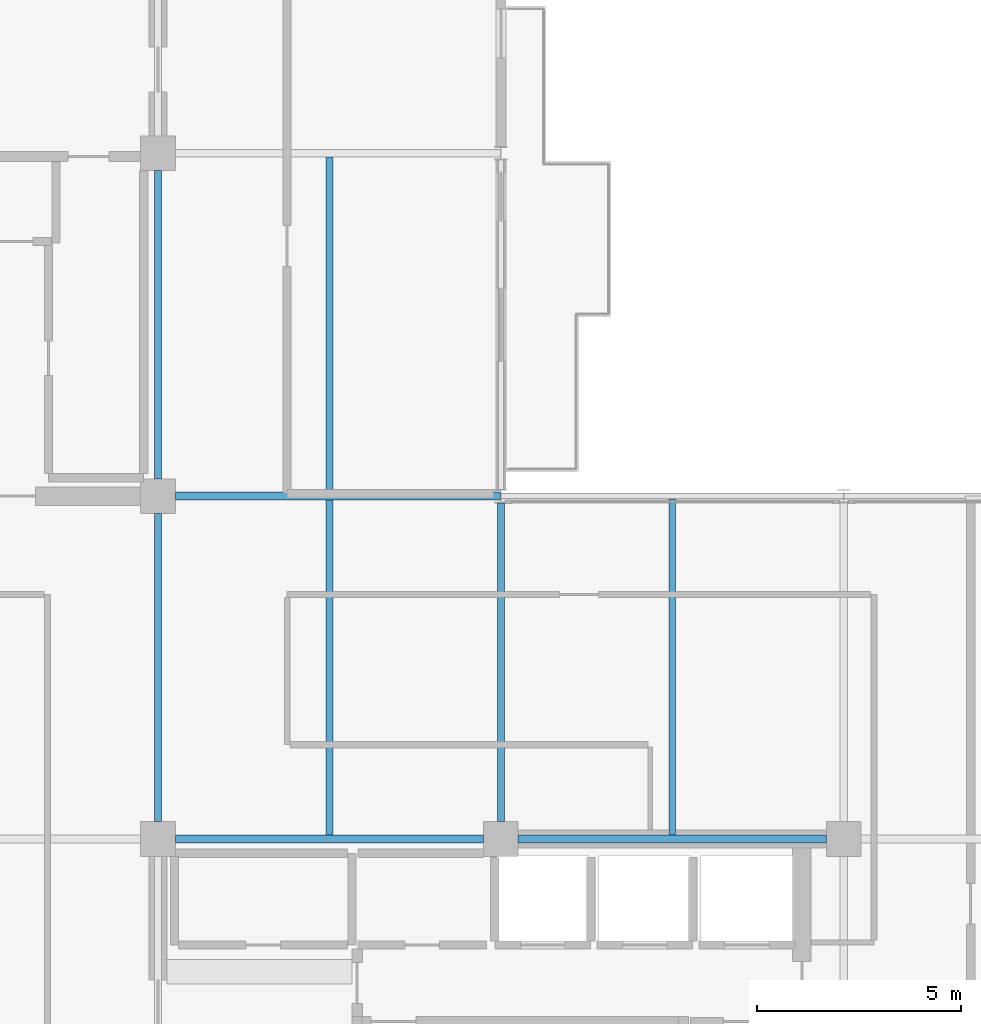
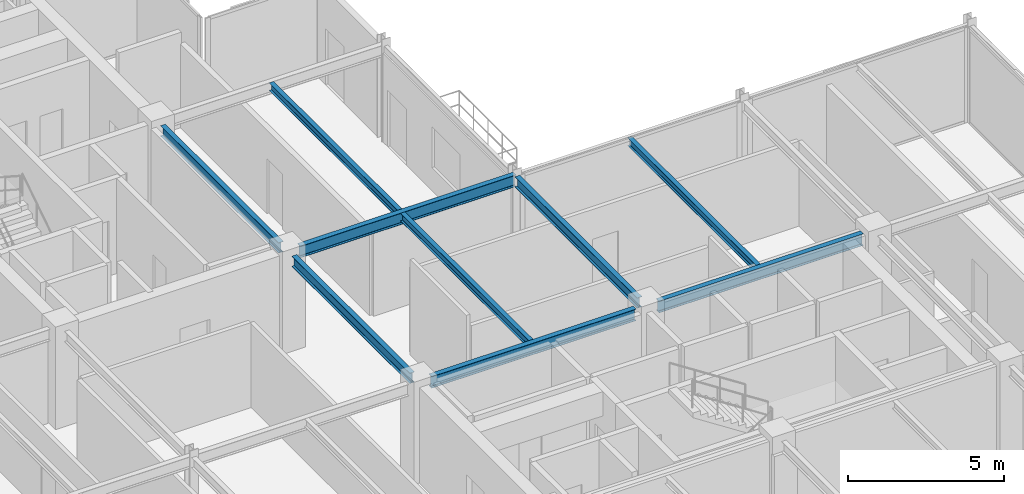
# One storey, part 12 of 26: 9 beams.
"""IFC4 building model written with IfcOpenShell, lengths in metres."""

from ifc_helpers import new_model, si_unit, direction, frame, origin, origin_2d, place, context, subcontext, project, spatial, i_section, extrude, material, material_profile, profile_set, type_object, element, save


model = new_model("IFC4")

# Units and contexts
model_context = context("Model", 3, precision=1e-05, world=origin(), true_north=direction((0.0, 1.0)))
body_context = subcontext(model_context, "Body", "Model", "MODEL_VIEW")
ifc_project = project(units=[si_unit("LENGTHUNIT", "METRE"), si_unit("AREAUNIT", "SQUARE_METRE"), si_unit("VOLUMEUNIT", "CUBIC_METRE"), si_unit("PLANEANGLEUNIT", "RADIAN"), si_unit("MASSUNIT", "GRAM", prefix="KILO")], contexts=[model_context])

# Site, building, storey
site_placement = place(None, origin())
site = spatial("IfcSite", under=ifc_project, at=site_placement, CompositionType="ELEMENT")
building_placement = place(site_placement, origin())
building = spatial("IfcBuilding", under=site, at=building_placement, Name="Nerrivon Quay Data Exchange", CompositionType="ELEMENT")
storey_placement = place(building_placement, frame((0.0, 0.0, 274.199951171875)))
storey = spatial("IfcBuildingStorey", under=building, at=storey_placement, Name="L65", CompositionType="ELEMENT", Elevation=274.199951171875)

# Beams
ifc_material = material(Name="Steel Grade 350", Category="steel")
ifc_material_profile_1 = material_profile(ifc_material, i_section(OverallWidth=0.18994140625, OverallDepth=0.4541015625, WebThickness=0.008544921875, FlangeThickness=0.0126953125, FilletRadius=0.011474609375, at=origin_2d()), Name="460UB67.1")
ifc_profile_set_1 = profile_set([ifc_material_profile_1], Name="Steel Grade 350")
beam_type_1 = type_object("IfcBeamType", Name="BM-G6-460UB67", PredefinedType="BEAM", material=ifc_profile_set_1)
beam_1_placement = place(storey_placement, frame((17.22509765625, 16.800048828125, 3.498046875), z_axis=(1.0, 0.0, 0.0), x_axis=(0.0, 1.0, 0.0)))
element("IfcBeam", 1, at=beam_1_placement, inside=storey, type_object=beam_type_1, Name="L65 EW Girder Y=16.8 (16.8..25.2)", PredefinedType="BEAM", context=body_context, shape_type="SweptSolid", body=[
    extrude(i_section(OverallWidth=0.18994140625, OverallDepth=0.4541015625, WebThickness=0.008544921875, FlangeThickness=0.0126953125, FilletRadius=0.011474609375, at=origin_2d()), origin(), (0.0, 0.0, 1.0), 7.5498046875),
])
beam_2_placement = place(storey_placement, frame((25.625, 16.800048828125, 3.498046875), z_axis=(1.0, 0.0, 0.0), x_axis=(0.0, 1.0, 0.0)))
element("IfcBeam", 2, at=beam_2_placement, inside=storey, type_object=beam_type_1, Name="L65 EW Girder Y=16.8 (25.2..33.6)", PredefinedType="BEAM", context=body_context, shape_type="SweptSolid", body=[
    extrude(i_section(OverallWidth=0.18994140625, OverallDepth=0.4541015625, WebThickness=0.008544921875, FlangeThickness=0.0126953125, FilletRadius=0.011474609375, at=origin_2d()), origin(), (0.0, 0.0, 1.0), 7.550048828125),
])
beam_3_placement = place(storey_placement, frame((17.22509765625, 25.199951171875, 3.498046875), z_axis=(1.0, 0.0, 0.0), x_axis=(0.0, 1.0, 0.0)))
element("IfcBeam", 3, at=beam_3_placement, inside=storey, type_object=beam_type_1, Name="L65 EW Girder Y=25.2 (16.8..25.2)", PredefinedType="BEAM", context=body_context, shape_type="SweptSolid", body=[
    extrude(i_section(OverallWidth=0.18994140625, OverallDepth=0.4541015625, WebThickness=0.008544921875, FlangeThickness=0.0126953125, FilletRadius=0.011474609375, at=origin_2d()), origin(), (0.0, 0.0, 1.0), 7.967041015625),
])
ifc_material_profile_2 = material_profile(ifc_material, i_section(OverallWidth=0.177978515625, OverallDepth=0.406005859375, WebThickness=0.0078125, FlangeThickness=0.0126953125, FilletRadius=0.011474609375, at=origin_2d()), Name="410UB59.7")
ifc_profile_set_2 = profile_set([ifc_material_profile_2], Name="Steel Grade 350")
beam_type_2 = type_object("IfcBeamType", Name="BM-J1-410UB60", PredefinedType="JOIST", material=ifc_profile_set_2)
beam_4_placement = place(storey_placement, frame((16.800048828125, 17.22509765625, 3.52197265625), z_axis=(0.0, 1.0, 0.0), x_axis=(-1.0, 0.0, 0.0)))
element("IfcBeam", 4, at=beam_4_placement, inside=storey, type_object=beam_type_2, Name="L65 NS Girder X=16.8 (16.8..25.2)", PredefinedType="JOIST", context=body_context, shape_type="SweptSolid", body=[
    extrude(i_section(OverallWidth=0.177978515625, OverallDepth=0.406005859375, WebThickness=0.0078125, FlangeThickness=0.0126953125, FilletRadius=0.011474609375, at=origin_2d()), origin(), (0.0, 0.0, 1.0), 7.5498046875),
])
beam_5_placement = place(storey_placement, frame((16.800048828125, 25.625, 3.52197265625), z_axis=(0.0, 1.0, 0.0), x_axis=(-1.0, 0.0, 0.0)))
element("IfcBeam", 5, at=beam_5_placement, inside=storey, type_object=beam_type_2, Name="L65 NS Girder X=16.8 (25.2..33.6)", PredefinedType="JOIST", context=body_context, shape_type="SweptSolid", body=[
    extrude(i_section(OverallWidth=0.177978515625, OverallDepth=0.406005859375, WebThickness=0.0078125, FlangeThickness=0.0126953125, FilletRadius=0.011474609375, at=origin_2d()), origin(), (0.0, 0.0, 1.0), 7.550048828125),
])
beam_6_placement = place(storey_placement, frame((25.199951171875, 17.22509765625, 3.52197265625), z_axis=(0.0, 1.0, 0.0), x_axis=(-1.0, 0.0, 0.0)))
element("IfcBeam", 6, at=beam_6_placement, inside=storey, type_object=beam_type_2, Name="L65 NS Girder X=25.2 (16.8..25.2)", PredefinedType="JOIST", context=body_context, shape_type="SweptSolid", body=[
    extrude(i_section(OverallWidth=0.177978515625, OverallDepth=0.406005859375, WebThickness=0.0078125, FlangeThickness=0.0126953125, FilletRadius=0.011474609375, at=origin_2d()), origin(), (0.0, 0.0, 1.0), 7.8115234375),
])
ifc_material_profile_3 = material_profile(ifc_material, i_section(OverallWidth=0.1650390625, OverallDepth=0.303955078125, WebThickness=0.006103515625, FlangeThickness=0.01025390625, FilletRadius=0.011474609375, at=origin_2d()), Name="310UB40.4")
ifc_profile_set_3 = profile_set([ifc_material_profile_3], Name="Steel Grade 350")
beam_type_3 = type_object("IfcBeamType", Name="BM-J6-310UB40", PredefinedType="JOIST", material=ifc_profile_set_3)
for number, where, z_axis, x_axis, name in (
    (7, (21.0, 16.89501953125, 3.572998046875), (0.0, 1.0, 0.0), (-1.0, 0.0, 0.0), "L65 Secondary Joist X=21.0 (16.8..25.2)"),
    (8, (21.0, 25.294921875, 3.572998046875), (0.0, 1.0, 0.0), (-1.0, 0.0, 0.0), "L65 Secondary Joist X=21.0 (25.2..33.6)"),
):
    element("IfcBeam", number, at=place(storey_placement, frame(where, z_axis=z_axis, x_axis=x_axis)), inside=storey, type_object=beam_type_3, Name=name, PredefinedType="JOIST", context=body_context, shape_type="SweptSolid", body=[
        extrude(i_section(OverallWidth=0.1650390625, OverallDepth=0.303955078125, WebThickness=0.006103515625, FlangeThickness=0.01025390625, FilletRadius=0.011474609375, at=origin_2d()), origin(), (0.0, 0.0, 1.0), 8.2099609375),
    ])
beam_7_placement = place(storey_placement, frame((29.39990234375, 16.89501953125, 3.572998046875), z_axis=(0.0, 1.0, 0.0), x_axis=(-1.0, 0.0, 0.0)))
element("IfcBeam", 9, at=beam_7_placement, inside=storey, type_object=beam_type_3, Name="L65 Secondary Joist X=29.4 (16.8..25.2)", PredefinedType="JOIST", context=body_context, shape_type="SweptSolid", body=[
    extrude(i_section(OverallWidth=0.1650390625, OverallDepth=0.303955078125, WebThickness=0.006103515625, FlangeThickness=0.01025390625, FilletRadius=0.011474609375, at=origin_2d()), origin(), (0.0, 0.0, 1.0), 8.22998046875),
])

save(model, "model.ifc")
